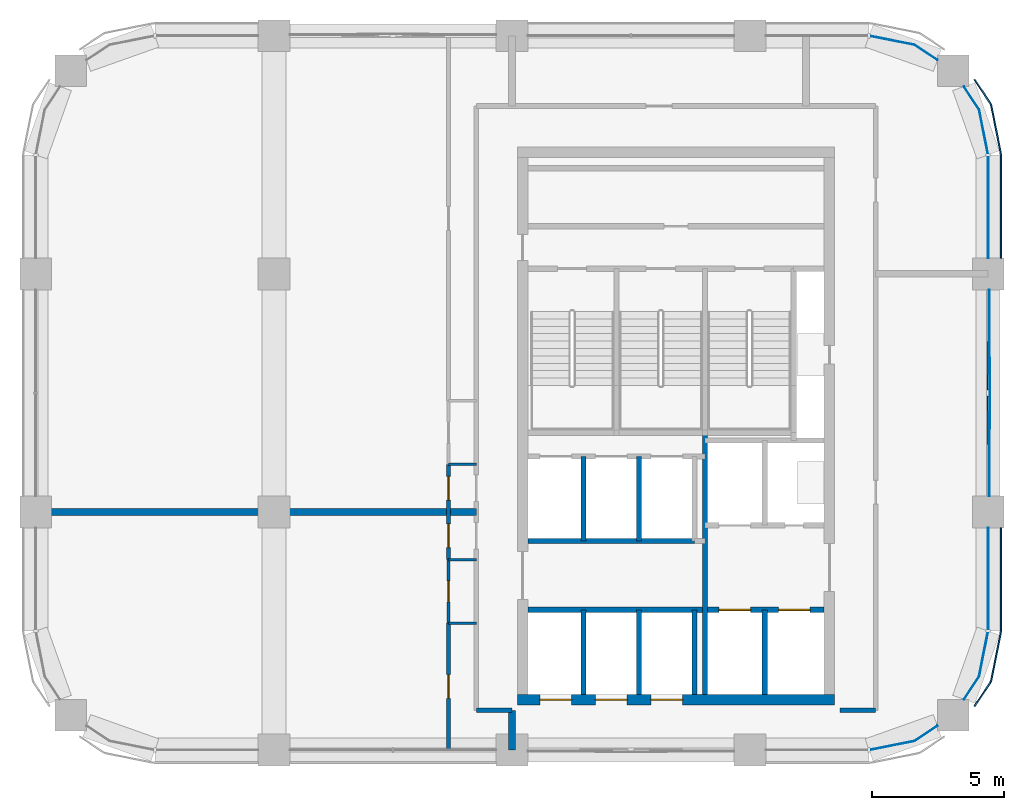
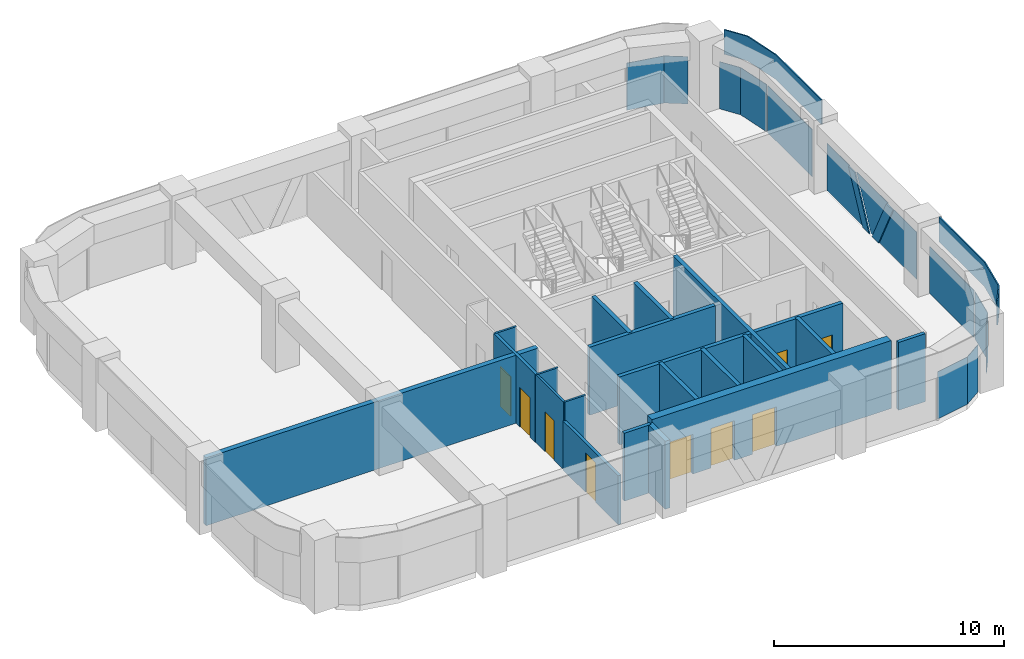
# One storey, part 6 of 9: 20 walls, 13 plates, 9 doors, 9 openings, 5 elements without a shape of their own.
"""IFC4 building model written with IfcOpenShell, lengths in metres."""

from ifc_helpers import new_model, si_unit, direction, frame, frame_2d, origin, origin_2d, place, context, subcontext, project, spatial, polyline, rectangle, outline, extrude, material, layer, layer_set, type_object, element, fill, aggregate, save


model = new_model("IFC4")

# Units and contexts
model_context = context("Model", 3, precision=1e-05, world=origin(), true_north=direction((0.0, 1.0)))
body_context = subcontext(model_context, "Body", "Model", "MODEL_VIEW")
ifc_project = project(units=[si_unit("LENGTHUNIT", "METRE"), si_unit("AREAUNIT", "SQUARE_METRE"), si_unit("VOLUMEUNIT", "CUBIC_METRE"), si_unit("PLANEANGLEUNIT", "RADIAN"), si_unit("MASSUNIT", "GRAM", prefix="KILO")], contexts=[model_context])

# Site, building, storey
site_placement = place(None, origin())
site = spatial("IfcSite", under=ifc_project, at=site_placement, CompositionType="ELEMENT")
building_placement = place(site_placement, origin())
building = spatial("IfcBuilding", under=site, at=building_placement, Name="Tessera Arch", CompositionType="ELEMENT")
storey_placement = place(building_placement, frame((0.0, 0.0, 273.5)))
storey = spatial("IfcBuildingStorey", under=building, at=storey_placement, Name="L66", CompositionType="ELEMENT", Elevation=273.5)

# Curtain wall, plates
ifc_material_1 = material(Name="CW2 curtain wall")
curtain_wall_type_1 = type_object("IfcCurtainWallType", Name="CW2 curtain wall", PredefinedType="NOTDEFINED", material=ifc_material_1)
curtain_wall_1_placement = place(storey_placement, origin())
curtain_wall_1 = element("IfcCurtainWall", 1, at=curtain_wall_1_placement, inside=storey, type_object=curtain_wall_type_1, Name="CW2 curtain wall E54.27/1 L66", PredefinedType="NOTDEFINED")
ifc_material_2 = material(Name="Clear low-e glass", Category="glass")
ifc_material_3 = material(Name="Clear low-e glass", Category="glass")
ifc_layer_1 = layer(ifc_material_3, 0.028076171875)
ifc_layer_set_1 = layer_set([ifc_layer_1], Name="CW2 glass panel")
plate_type_1 = type_object("IfcPlateType", Name="CW2 glass panel", PredefinedType="CURTAIN_PANEL", material=ifc_layer_set_1)
plate_1_placement = place(storey_placement, frame((54.0, 47.530029296875, 0.0), z_axis=(0.0, 0.0, 1.0), x_axis=(0.0, 1.0, 0.0)))
plate_1 = element("IfcPlate", 2, at=plate_1_placement, type_object=plate_type_1, material=ifc_material_2, Name="CW2 glass panel E54.27/1 1.1", PredefinedType="CURTAIN_PANEL", context=body_context, shape_type="SweptSolid", body=[
    extrude(rectangle(XDim=3.860107421875, YDim=0.028076171875, at=origin_2d()), origin(), (0.0, 0.0, 1.0), 2.5),
])
plate_2_placement = place(storey_placement, origin())
plate_2 = element("IfcPlate", 3, at=plate_2_placement, type_object=plate_type_1, material=ifc_material_2, Name="CW2 curved glass panel E54.27/1 2.1", PredefinedType="CURTAIN_PANEL", context=body_context, shape_type="SweptSolid", body=[
    extrude(outline(polyline([(53.644287109375, 51.216552734375), (53.978515625, 49.53662109375), (54.005859375, 49.5419921875), (53.670654296875, 51.2275390625), (53.094482421875, 52.08984375), (53.0712890625, 52.07421875), (53.644287109375, 51.216552734375)])), origin(), (0.0, 0.0, 1.0), 2.5),
])

# Curtain wall, plate
curtain_wall_2_placement = place(storey_placement, origin())
curtain_wall_2 = element("IfcCurtainWall", 4, at=curtain_wall_2_placement, inside=storey, type_object=curtain_wall_type_1, Name="CW2 curtain wall N54.18/0 L66", PredefinedType="NOTDEFINED")
plate_3_placement = place(storey_placement, origin())
plate_3 = element("IfcPlate", 5, at=plate_3_placement, type_object=plate_type_1, material=ifc_material_2, Name="CW2 curved glass panel N54.18/0 2.1", PredefinedType="CURTAIN_PANEL", context=body_context, shape_type="SweptSolid", body=[
    extrude(outline(polyline([(51.216552734375, 53.644287109375), (52.07421875, 53.0712890625), (52.08984375, 53.094482421875), (51.2275390625, 53.670654296875), (49.5419921875, 54.005859375), (49.53662109375, 53.978515625), (51.216552734375, 53.644287109375)])), origin(), (0.0, 0.0, 1.0), 2.5),
])
aggregate(curtain_wall_2, [plate_3])

curtain_wall_3_placement = place(storey_placement, origin())
curtain_wall_3 = element("IfcCurtainWall", 6, at=curtain_wall_3_placement, inside=storey, type_object=curtain_wall_type_1, Name="CW2 curtain wall S27.18/3 L66", PredefinedType="NOTDEFINED")
plate_4_placement = place(storey_placement, origin())
plate_4 = element("IfcPlate", 7, at=plate_4_placement, type_object=plate_type_1, material=ifc_material_2, Name="CW2 curved glass panel S27.18/3 2.1", PredefinedType="CURTAIN_PANEL", context=body_context, shape_type="SweptSolid", body=[
    extrude(outline(polyline([(51.216552734375, 27.355712890625), (49.53662109375, 27.021484375), (49.5419921875, 26.994140625), (51.2275390625, 27.329345703125), (52.08984375, 27.905517578125), (52.07421875, 27.9287109375), (51.216552734375, 27.355712890625)])), origin(), (0.0, 0.0, 1.0), 2.5),
])
aggregate(curtain_wall_3, [plate_4])

# Curtain wall, plates
curtain_wall_4_placement = place(storey_placement, origin())
curtain_wall_4 = element("IfcCurtainWall", 8, at=curtain_wall_4_placement, inside=storey, type_object=curtain_wall_type_1, Name="CW2 curtain wall E54.27/2 L66", PredefinedType="NOTDEFINED")
plate_5_placement = place(storey_placement, frame((54.0, 33.469970703125, 0.0), z_axis=(0.0, 0.0, 1.0), x_axis=(0.0, 1.0, 0.0)))
plate_5 = element("IfcPlate", 9, at=plate_5_placement, type_object=plate_type_1, material=ifc_material_2, Name="CW2 glass panel E54.27/2 1.1", PredefinedType="CURTAIN_PANEL", context=body_context, shape_type="SweptSolid", body=[
    extrude(rectangle(XDim=3.860107421875, YDim=0.028076171875, at=origin_2d()), origin(), (0.0, 0.0, 1.0), 2.5),
])
plate_6_placement = place(storey_placement, origin())
plate_6 = element("IfcPlate", 10, at=plate_6_placement, type_object=plate_type_1, material=ifc_material_2, Name="CW2 curved glass panel E54.27/2 2.1", PredefinedType="CURTAIN_PANEL", context=body_context, shape_type="SweptSolid", body=[
    extrude(outline(polyline([(53.644287109375, 29.783447265625), (53.0712890625, 28.92578125), (53.094482421875, 28.91015625), (53.670654296875, 29.7724609375), (54.005859375, 31.4580078125), (53.978515625, 31.46337890625), (53.644287109375, 29.783447265625)])), origin(), (0.0, 0.0, 1.0), 2.5),
])

# Plate
ifc_material_4 = material(Name="Pale anodised aluminium panel", Category="aluminium")
ifc_layer_2 = layer(ifc_material_4, 0.06005859375)
ifc_layer_set_2 = layer_set([ifc_layer_2], Name="CW2 spandrel panel")
plate_type_2 = type_object("IfcPlateType", Name="CW2 spandrel panel", PredefinedType="CURTAIN_PANEL", material=ifc_layer_set_2)
plate_7_placement = place(storey_placement, frame((0.0, 0.0, 2.60009765625)))
plate_7 = element("IfcPlate", 11, at=plate_7_placement, type_object=plate_type_2, Name="CW2 spandrel panel E54.27/1", PredefinedType="CURTAIN_PANEL", context=body_context, shape_type="SweptSolid", body=[
    extrude(outline(polyline([(54.449951171875, 49.499267578125), (54.449951171875, 45.60009765625), (54.510009765625, 45.60009765625), (54.510009765625, 49.500732421875), (54.507568359375, 49.550048828125), (54.500244140625, 49.598876953125), (54.157470703125, 51.322265625), (54.1455078125, 51.3701171875), (54.128662109375, 51.417236328125), (54.107421875, 51.462646484375), (54.08203125, 51.5048828125), (53.5068359375, 52.365234375), (53.45703125, 52.33203125), (54.03125, 51.47265625), (54.054443359375, 51.434326171875), (54.0732421875, 51.394287109375), (54.088134765625, 51.352783203125), (54.09912109375, 51.30908203125), (54.441162109375, 49.588623046875), (54.44775390625, 49.544189453125), (54.449951171875, 49.499267578125)])), origin(), (0.0, 0.0, 1.0), 1.2998046875),
])

aggregate(curtain_wall_1, [plate_1, plate_2, plate_7])

plate_8_placement = place(storey_placement, frame((0.0, 0.0, 2.60009765625)))
plate_8 = element("IfcPlate", 12, at=plate_8_placement, type_object=plate_type_2, Name="CW2 spandrel panel E54.27/2", PredefinedType="CURTAIN_PANEL", context=body_context, shape_type="SweptSolid", body=[
    extrude(outline(polyline([(54.03125, 29.52734375), (53.45703125, 28.66796875), (53.5068359375, 28.634765625), (54.08203125, 29.4951171875), (54.107421875, 29.537353515625), (54.128662109375, 29.582763671875), (54.1455078125, 29.6298828125), (54.157470703125, 29.677734375), (54.500244140625, 31.401123046875), (54.507568359375, 31.449951171875), (54.510009765625, 31.499267578125), (54.510009765625, 35.39990234375), (54.449951171875, 35.39990234375), (54.449951171875, 31.500732421875), (54.44775390625, 31.455810546875), (54.441162109375, 31.411376953125), (54.09912109375, 29.69091796875), (54.088134765625, 29.647216796875), (54.0732421875, 29.605712890625), (54.054443359375, 29.565673828125), (54.03125, 29.52734375)])), origin(), (0.0, 0.0, 1.0), 1.2998046875),
])

aggregate(curtain_wall_4, [plate_5, plate_6, plate_8])

# Curtain wall, plates
ifc_material_5 = material(Name="CW3 curtain wall")
curtain_wall_type_2 = type_object("IfcCurtainWallType", Name="CW3 curtain wall", PredefinedType="NOTDEFINED", material=ifc_material_5)
curtain_wall_5_placement = place(storey_placement, origin())
curtain_wall_5 = element("IfcCurtainWall", 13, at=curtain_wall_5_placement, inside=storey, type_object=curtain_wall_type_2, Name="CW3 curtain wall E54.27/0 L66", PredefinedType="NOTDEFINED")
ifc_material_6 = material(Name="Pale anodised aluminium panel", Category="aluminium")
ifc_layer_3 = layer(ifc_material_6, 0.06005859375)
ifc_layer_set_3 = layer_set([ifc_layer_3], Name="CW3 diagonal panel")
plate_type_3 = type_object("IfcPlateType", Name="CW3 diagonal panel", PredefinedType="CURTAIN_PANEL", material=ifc_layer_set_3)
plate_9_placement = place(storey_placement, frame((54.030029296875, 42.432373046875, 2.5), z_axis=(1.0, 0.0, 0.0), x_axis=(0.0, -1.0, 0.0)))
plate_9 = element("IfcPlate", 14, at=plate_9_placement, type_object=plate_type_3, Name="CW3 diagonal panel E54.27/0 1", PredefinedType="CURTAIN_PANEL", context=body_context, shape_type="SweptSolid", body=[
    extrude(outline(polyline([(0.0, 0.0), (0.564697265625, 0.0), (1.814697265625, 2.5), (1.25, 2.5), (0.0, 0.0)])), origin(), (0.0, 0.0, -1.0), 0.06005859375),
])
plate_10_placement = place(storey_placement, frame((54.030029296875, 39.13232421875, 2.5), z_axis=(1.0, 0.0, 0.0), x_axis=(0.0, -1.0, 0.0)))
plate_10 = element("IfcPlate", 15, at=plate_10_placement, type_object=plate_type_3, Name="CW3 diagonal panel E54.27/0 2", PredefinedType="CURTAIN_PANEL", context=body_context, shape_type="SweptSolid", body=[
    extrude(outline(polyline([(0.0, 0.0), (0.564697265625, 0.0), (-0.685302734375, 2.5), (-1.25, 2.5), (0.0, 0.0)])), origin(), (0.0, 0.0, -1.0), 0.06005859375),
])
ifc_material_7 = material(Name="Clear low-e glass", Category="glass")
ifc_layer_4 = layer(ifc_material_7, 0.028076171875)
ifc_layer_set_4 = layer_set([ifc_layer_4], Name="CW3 glass panel")
plate_type_4 = type_object("IfcPlateType", Name="CW3 glass panel", PredefinedType="CURTAIN_PANEL", material=ifc_layer_set_4)
plate_11_placement = place(storey_placement, frame((54.05810546875, 36.60009765625, 0.0), z_axis=(1.0, 0.0, 0.0), x_axis=(0.0, 1.0, 0.0)))
plate_11 = element("IfcPlate", 16, at=plate_11_placement, type_object=plate_type_4, material=ifc_material_2, Name="CW3 triangulated glass panel E54.27/0 1", PredefinedType="CURTAIN_PANEL", context=body_context, shape_type="SweptSolid", body=[
    extrude(outline(polyline([(0.0, 0.0), (3.217529296875, 0.0), (1.967529296875, 2.5), (0.0, 2.5), (0.0, 0.0)])), origin(), (0.0, 0.0, -1.0), 0.028076171875),
])
plate_12_placement = place(storey_placement, frame((54.0859375, 41.86767578125, 2.5), z_axis=(1.0, 0.0, 0.0), x_axis=(0.0, -1.0, 0.0)))
plate_12 = element("IfcPlate", 17, at=plate_12_placement, type_object=plate_type_4, material=ifc_material_2, Name="CW3 triangulated glass panel E54.27/0 2", PredefinedType="CURTAIN_PANEL", context=body_context, shape_type="SweptSolid", body=[
    extrude(outline(polyline([(0.0, 0.0), (2.7353515625, 0.0), (1.4853515625, 2.5), (1.25, 2.5), (0.0, 0.0)])), origin(), (0.0, 0.0, -1.0), 0.028076171875),
])
plate_13_placement = place(storey_placement, frame((54.05810546875, 44.39990234375, 2.5), z_axis=(1.0, 0.0, 0.0), x_axis=(0.0, -1.0, 0.0)))
plate_13 = element("IfcPlate", 18, at=plate_13_placement, type_object=plate_type_4, material=ifc_material_2, Name="CW3 triangulated glass panel E54.27/0 3", PredefinedType="CURTAIN_PANEL", context=body_context, shape_type="SweptSolid", body=[
    extrude(outline(polyline([(0.0, 0.0), (1.967529296875, 0.0), (3.217529296875, 2.5), (0.0, 2.5), (0.0, 0.0)])), origin(), (0.0, 0.0, -1.0), 0.028076171875),
])
aggregate(curtain_wall_5, [plate_11, plate_12, plate_13, plate_9, plate_10])

# Wall, openings, doors
ifc_material_8 = material(Name="Concrete C50/60", Category="concrete")
ifc_layer_5 = layer(ifc_material_8, 0.39990234375)
ifc_layer_set_5 = layer_set([ifc_layer_5], Name="Core shell wall 400 C50-60")
wall_type_1 = type_object("IfcWallType", Name="Core shell wall 400 C50-60", PredefinedType="SHEAR", material=ifc_layer_set_5)
wall_1_placement = place(storey_placement, frame((36.199951171875, 28.89990234375, 0.0), z_axis=(0.0, 0.0, 1.0), x_axis=(1.0, 0.0, 0.0)))
wall_1 = element("IfcWall", 19, at=wall_1_placement, inside=storey, type_object=wall_type_1, Name="L66 C1 core wall S", PredefinedType="SHEAR", context=body_context, shape_type="SweptSolid", body=[
    extrude(rectangle(XDim=12.0, YDim=0.39990234375, at=frame_2d((6.0, 0.0))), origin(), (0.0, 0.0, 1.0), 3.60009765625),
])
opening_1_placement = place(wall_1_placement, frame((0.85009765625, 0.0, 0.0)))
opening_1 = element("IfcOpeningElement", 20, at=opening_1_placement, cuts=wall_1, Name="Opening L66-C01", PredefinedType="OPENING", context=body_context, shape_type="SweptSolid", body=[
    extrude(rectangle(XDim=1.199951171875, YDim=2.10009765625, at=frame_2d((0.60009765625, 1.050048828125))), frame((0.0, 0.2099609375, 0.0), z_axis=(0.0, -1.0, 0.0), x_axis=(1.0, 0.0, 0.0)), (0.0, 0.0, 1.0), 0.419921875),
])
opening_2_placement = place(wall_1_placement, frame((2.949951171875, 0.0, 0.0)))
opening_2 = element("IfcOpeningElement", 21, at=opening_2_placement, cuts=wall_1, Name="Opening L66-C03", PredefinedType="OPENING", context=body_context, shape_type="SweptSolid", body=[
    extrude(rectangle(XDim=1.199951171875, YDim=2.10009765625, at=frame_2d((0.60009765625, 1.050048828125))), frame((0.0, 0.2099609375, 0.0), z_axis=(0.0, -1.0, 0.0), x_axis=(1.0, 0.0, 0.0)), (0.0, 0.0, 1.0), 0.419921875),
])
opening_3_placement = place(wall_1_placement, frame((5.050048828125, 0.0, 0.0)))
opening_3 = element("IfcOpeningElement", 22, at=opening_3_placement, cuts=wall_1, Name="Opening L66-C05", PredefinedType="OPENING", context=body_context, shape_type="SweptSolid", body=[
    extrude(rectangle(XDim=1.199951171875, YDim=2.10009765625, at=frame_2d((0.60009765625, 1.050048828125))), frame((0.0, 0.2099609375, 0.0), z_axis=(0.0, -1.0, 0.0), x_axis=(1.0, 0.0, 0.0)), (0.0, 0.0, 1.0), 0.419921875),
])
ifc_material_9 = material(Name="Stainless steel AISI 304", Category="steel")
door_type_1 = type_object("IfcDoorType", Name="Sliding landing door 1200 x 2100", OperationType="SLIDING_TO_LEFT", PredefinedType="DOOR", material=ifc_material_9)
door_1_placement = place(opening_1_placement, origin())
door_1 = element("IfcDoor", 23, at=door_1_placement, inside=storey, type_object=door_type_1, Name="L66 HR1 lift landing door C01 type LD", OperationType="SLIDING_TO_LEFT", OverallHeight=2.10009765625, OverallWidth=1.199951171875, PredefinedType="DOOR", context=body_context, shape_type="SweptSolid", body=[
    extrude(rectangle(XDim=1.199951171875, YDim=2.10009765625, at=frame_2d((0.60009765625, 1.050048828125))), frame((0.0, 0.02490234375, 0.0), z_axis=(0.0, -1.0, 0.0), x_axis=(1.0, 0.0, 0.0)), (0.0, 0.0, 1.0), 0.050048828125),
])
fill(opening_1, door_1)
door_2_placement = place(opening_2_placement, origin())
door_2 = element("IfcDoor", 24, at=door_2_placement, inside=storey, type_object=door_type_1, Name="L66 HR2 lift landing door C03 type LD", OperationType="SLIDING_TO_LEFT", OverallHeight=2.10009765625, OverallWidth=1.199951171875, PredefinedType="DOOR", context=body_context, shape_type="SweptSolid", body=[
    extrude(rectangle(XDim=1.199951171875, YDim=2.10009765625, at=frame_2d((0.60009765625, 1.050048828125))), frame((0.0, 0.02490234375, 0.0), z_axis=(0.0, -1.0, 0.0), x_axis=(1.0, 0.0, 0.0)), (0.0, 0.0, 1.0), 0.050048828125),
])
fill(opening_2, door_2)
door_3_placement = place(opening_3_placement, origin())
door_3 = element("IfcDoor", 25, at=door_3_placement, inside=storey, type_object=door_type_1, Name="L66 HR3 lift landing door C05 type LD", OperationType="SLIDING_TO_LEFT", OverallHeight=2.10009765625, OverallWidth=1.199951171875, PredefinedType="DOOR", context=body_context, shape_type="SweptSolid", body=[
    extrude(rectangle(XDim=1.199951171875, YDim=2.10009765625, at=frame_2d((0.60009765625, 1.050048828125))), frame((0.0, 0.02490234375, 0.0), z_axis=(0.0, -1.0, 0.0), x_axis=(1.0, 0.0, 0.0)), (0.0, 0.0, 1.0), 0.050048828125),
])
fill(opening_3, door_3)

# Walls
ifc_material_10 = material(Name="Gypsum board on deep steel stud with mineral wool", Category="steel")
ifc_layer_6 = layer(ifc_material_10, 0.175048828125)
ifc_layer_set_6 = layer_set([ifc_layer_6], Name="Corridor wall 175 EI 60")
wall_type_2 = type_object("IfcWallType", Name="Corridor wall 175 EI 60", PredefinedType="PARTITIONING", material=ifc_layer_set_6)
for number, where, z_axis, x_axis, name in (
    (26, (34.64990234375, 28.5, 0.0), (0.0, 0.0, 1.0), (1.0, 0.0, 0.0), "L66 partition 1"),
    (27, (48.39990234375, 28.5, 0.0), (0.0, 0.0, 1.0), (1.0, 0.0, 0.0), "L66 partition 2"),
):
    element("IfcWall", number, at=place(storey_placement, frame(where, z_axis=z_axis, x_axis=x_axis)), inside=storey, type_object=wall_type_2, Name=name, PredefinedType="PARTITIONING", context=body_context, shape_type="SweptSolid", body=[
        extrude(rectangle(XDim=1.35009765625, YDim=0.175048828125, at=frame_2d((0.675048828125, 0.0))), origin(), (0.0, 0.0, 1.0), 3.60009765625),
    ])

# Wall, opening, door
ifc_material_11 = material(Name="Gypsum board on steel stud", Category="steel")
ifc_layer_7 = layer(ifc_material_11, 0.14990234375)
ifc_layer_set_7 = layer_set([ifc_layer_7], Name="Partition 150")
wall_type_3 = type_object("IfcWallType", Name="Partition 150", PredefinedType="PARTITIONING", material=ifc_layer_set_7)
wall_2_placement = place(storey_placement, frame((33.60009765625, 27.0, 0.0), z_axis=(0.0, 0.0, 1.0), x_axis=(0.0, 1.0, 0.0)))
wall_2 = element("IfcWall", 28, at=wall_2_placement, inside=storey, type_object=wall_type_3, Name="L66 partition 6", PredefinedType="PARTITIONING", context=body_context, shape_type="SweptSolid", body=[
    extrude(rectangle(XDim=4.800048828125, YDim=0.14990234375, at=frame_2d((2.39990234375, 0.0))), origin(), (0.0, 0.0, 1.0), 2.60009765625),
])
opening_4_placement = place(wall_2_placement, frame((1.949951171875, 0.0, 0.0)))
opening_4 = element("IfcOpeningElement", 29, at=opening_4_placement, cuts=wall_2, Name="Opening L66-D004", PredefinedType="OPENING", context=body_context, shape_type="SweptSolid", body=[
    extrude(rectangle(XDim=0.89990234375, YDim=2.10009765625, at=frame_2d((0.449951171875, 1.050048828125))), frame((0.0, 0.0849609375, 0.0), z_axis=(0.0, -1.0, 0.0), x_axis=(1.0, 0.0, 0.0)), (0.0, 0.0, 1.0), 0.169921875),
])
ifc_material_12 = material(Name="Timber door leaf", Category="wood")
door_type_2 = type_object("IfcDoorType", Name="Room door 900 x 2100", OperationType="SINGLE_SWING_LEFT", PredefinedType="DOOR", material=ifc_material_12)
door_4_placement = place(opening_4_placement, origin())
door_4 = element("IfcDoor", 30, at=door_4_placement, inside=storey, type_object=door_type_2, Name="L66 door D004 type D01", OperationType="SINGLE_SWING_RIGHT", OverallHeight=2.10009765625, OverallWidth=0.89990234375, PredefinedType="DOOR", context=body_context, shape_type="SweptSolid", body=[
    extrude(rectangle(XDim=0.89990234375, YDim=2.10009765625, at=frame_2d((0.449951171875, 1.050048828125))), frame((0.0, 0.02490234375, 0.0), z_axis=(0.0, -1.0, 0.0), x_axis=(1.0, 0.0, 0.0)), (0.0, 0.0, 1.0), 0.050048828125),
])
fill(opening_4, door_4)

# Wall, openings, doors
wall_3_placement = place(storey_placement, frame((33.60009765625, 34.199951171875, 0.0), z_axis=(0.0, 0.0, 1.0), x_axis=(0.0, 1.0, 0.0)))
wall_3 = element("IfcWall", 31, at=wall_3_placement, inside=storey, type_object=wall_type_3, Name="L66 partition 7", PredefinedType="PARTITIONING", context=body_context, shape_type="SweptSolid", body=[
    extrude(rectangle(XDim=3.60009765625, YDim=0.14990234375, at=frame_2d((1.800048828125, 0.0))), origin(), (0.0, 0.0, 1.0), 3.60009765625),
])
opening_5_placement = place(wall_3_placement, frame((0.449951171875, 0.0, 0.0)))
opening_5 = element("IfcOpeningElement", 32, at=opening_5_placement, cuts=wall_3, Name="Opening L66-D002", PredefinedType="OPENING", context=body_context, shape_type="SweptSolid", body=[
    extrude(rectangle(XDim=0.89990234375, YDim=2.10009765625, at=frame_2d((0.449951171875, 1.050048828125))), frame((0.0, 0.0849609375, 0.0), z_axis=(0.0, -1.0, 0.0), x_axis=(1.0, 0.0, 0.0)), (0.0, 0.0, 1.0), 0.169921875),
])
opening_6_placement = place(wall_3_placement, frame((2.25, 0.0, 0.0)))
opening_6 = element("IfcOpeningElement", 33, at=opening_6_placement, cuts=wall_3, Name="Opening L66-D007", PredefinedType="OPENING", context=body_context, shape_type="SweptSolid", body=[
    extrude(rectangle(XDim=0.89990234375, YDim=2.10009765625, at=frame_2d((0.449951171875, 1.050048828125))), frame((0.0, 0.0849609375, 0.0), z_axis=(0.0, -1.0, 0.0), x_axis=(1.0, 0.0, 0.0)), (0.0, 0.0, 1.0), 0.169921875),
])
door_5_placement = place(opening_5_placement, origin())
door_5 = element("IfcDoor", 34, at=door_5_placement, inside=storey, type_object=door_type_2, Name="L66 door D002 type D01", OperationType="SINGLE_SWING_RIGHT", OverallHeight=2.10009765625, OverallWidth=0.89990234375, PredefinedType="DOOR", context=body_context, shape_type="SweptSolid", body=[
    extrude(rectangle(XDim=0.89990234375, YDim=2.10009765625, at=frame_2d((0.449951171875, 1.050048828125))), frame((0.0, 0.02490234375, 0.0), z_axis=(0.0, -1.0, 0.0), x_axis=(1.0, 0.0, 0.0)), (0.0, 0.0, 1.0), 0.050048828125),
])
fill(opening_5, door_5)
door_6_placement = place(opening_6_placement, origin())
door_6 = element("IfcDoor", 35, at=door_6_placement, inside=storey, type_object=door_type_2, Name="L66 door D007 type D01", OperationType="SINGLE_SWING_RIGHT", OverallHeight=2.10009765625, OverallWidth=0.89990234375, PredefinedType="DOOR", context=body_context, shape_type="SweptSolid", body=[
    extrude(rectangle(XDim=0.89990234375, YDim=2.10009765625, at=frame_2d((0.449951171875, 1.050048828125))), frame((0.0, 0.02490234375, 0.0), z_axis=(0.0, -1.0, 0.0), x_axis=(1.0, 0.0, 0.0)), (0.0, 0.0, 1.0), 0.050048828125),
])
fill(opening_6, door_6)

# Walls
ifc_material_13 = material(Name="Double gypsum board on twin steel stud with acoustic mineral wool", Category="steel")
ifc_layer_8 = layer(ifc_material_13, 0.25)
ifc_layer_set_8 = layer_set([ifc_layer_8], Name="Party wall 250 EI 60")
wall_type_4 = type_object("IfcWallType", Name="Party wall 250 EI 60", PredefinedType="PARTITIONING", material=ifc_layer_set_8)
wall_4_placement = place(storey_placement, frame((18.0, 36.0, 0.0), z_axis=(0.0, 0.0, 1.0), x_axis=(1.0, 0.0, 0.0)))
element("IfcWall", 36, at=wall_4_placement, inside=storey, type_object=wall_type_4, Name="L66 partition 9", PredefinedType="PARTITIONING", context=body_context, shape_type="SweptSolid", body=[
    extrude(rectangle(XDim=16.64990234375, YDim=0.25, at=frame_2d((8.324951171875, 0.0))), origin(), (0.0, 0.0, 1.0), 3.60009765625),
])
wall_5_placement = place(storey_placement, frame((36.0, 27.0, 0.0), z_axis=(0.0, 0.0, 1.0), x_axis=(0.0, 1.0, 0.0)))
element("IfcWall", 37, at=wall_5_placement, inside=storey, type_object=wall_type_4, Name="L66 partition 11", PredefinedType="PARTITIONING", context=body_context, shape_type="SweptSolid", body=[
    extrude(rectangle(XDim=1.5, YDim=0.25, at=frame_2d((0.75, 0.0))), origin(), (0.0, 0.0, 1.0), 3.60009765625),
])
ifc_material_14 = material(Name="Concrete C40/50", Category="concrete")
ifc_layer_9 = layer(ifc_material_14, 0.199951171875)
ifc_layer_set_9 = layer_set([ifc_layer_9], Name="Shaft wall 200 EI 120")
wall_type_5 = type_object("IfcWallType", Name="Shaft wall 200 EI 120", PredefinedType="SOLIDWALL", material=ifc_layer_set_9)
wall_6_placement = place(storey_placement, frame((38.699951171875, 29.10009765625, 0.0), z_axis=(0.0, 0.0, 1.0), x_axis=(0.0, 1.0, 0.0)))
element("IfcWall", 38, at=wall_6_placement, inside=storey, type_object=wall_type_5, Name="L66 C1 shaft wall 1", PredefinedType="SOLIDWALL", context=body_context, shape_type="SweptSolid", body=[
    extrude(rectangle(XDim=3.199951171875, YDim=0.199951171875, at=frame_2d((1.60009765625, 0.0))), origin(), (0.0, 0.0, 1.0), 3.60009765625),
])
wall_7_placement = place(storey_placement, frame((38.699951171875, 34.89990234375, 0.0), z_axis=(0.0, 0.0, 1.0), x_axis=(0.0, 1.0, 0.0)))
element("IfcWall", 39, at=wall_7_placement, inside=storey, type_object=wall_type_5, Name="L66 C1 shaft wall 2", PredefinedType="SOLIDWALL", context=body_context, shape_type="SweptSolid", body=[
    extrude(rectangle(XDim=3.2001953125, YDim=0.199951171875, at=frame_2d((1.60009765625, 0.0))), origin(), (0.0, 0.0, 1.0), 3.60009765625),
])
wall_8_placement = place(storey_placement, frame((40.800048828125, 29.10009765625, 0.0), z_axis=(0.0, 0.0, 1.0), x_axis=(0.0, 1.0, 0.0)))
element("IfcWall", 40, at=wall_8_placement, inside=storey, type_object=wall_type_5, Name="L66 C1 shaft wall 5", PredefinedType="SOLIDWALL", context=body_context, shape_type="SweptSolid", body=[
    extrude(rectangle(XDim=3.199951171875, YDim=0.199951171875, at=frame_2d((1.60009765625, 0.0))), origin(), (0.0, 0.0, 1.0), 3.60009765625),
])
wall_9_placement = place(storey_placement, frame((40.800048828125, 34.89990234375, 0.0), z_axis=(0.0, 0.0, 1.0), x_axis=(0.0, 1.0, 0.0)))
element("IfcWall", 41, at=wall_9_placement, inside=storey, type_object=wall_type_5, Name="L66 C1 shaft wall 6", PredefinedType="SOLIDWALL", context=body_context, shape_type="SweptSolid", body=[
    extrude(rectangle(XDim=3.2001953125, YDim=0.199951171875, at=frame_2d((1.60009765625, 0.0))), origin(), (0.0, 0.0, 1.0), 3.60009765625),
])
wall_10_placement = place(storey_placement, frame((42.89990234375, 29.10009765625, 0.0), z_axis=(0.0, 0.0, 1.0), x_axis=(0.0, 1.0, 0.0)))
element("IfcWall", 42, at=wall_10_placement, inside=storey, type_object=wall_type_5, Name="L66 C1 shaft wall 7", PredefinedType="SOLIDWALL", context=body_context, shape_type="SweptSolid", body=[
    extrude(rectangle(XDim=3.199951171875, YDim=0.199951171875, at=frame_2d((1.60009765625, 0.0))), origin(), (0.0, 0.0, 1.0), 3.60009765625),
])
wall_11_placement = place(storey_placement, frame((43.300048828125, 29.10009765625, 0.0), z_axis=(0.0, 0.0, 1.0), x_axis=(0.0, 1.0, 0.0)))
element("IfcWall", 43, at=wall_11_placement, inside=storey, type_object=wall_type_5, Name="L66 C1 shaft wall 9", PredefinedType="SOLIDWALL", context=body_context, shape_type="SweptSolid", body=[
    extrude(rectangle(XDim=9.89990234375, YDim=0.199951171875, at=frame_2d((4.949951171875, 0.0))), origin(), (0.0, 0.0, 1.0), 3.60009765625),
])
wall_12_placement = place(storey_placement, frame((45.550048828125, 29.10009765625, 0.0), z_axis=(0.0, 0.0, 1.0), x_axis=(0.0, 1.0, 0.0)))
element("IfcWall", 44, at=wall_12_placement, inside=storey, type_object=wall_type_5, Name="L66 C1 shaft wall 12", PredefinedType="SOLIDWALL", context=body_context, shape_type="SweptSolid", body=[
    extrude(rectangle(XDim=3.199951171875, YDim=0.199951171875, at=frame_2d((1.60009765625, 0.0))), origin(), (0.0, 0.0, 1.0), 3.60009765625),
])

# Wall, openings, doors
wall_13_placement = place(storey_placement, frame((36.60009765625, 32.300048828125, 0.0), z_axis=(0.0, 0.0, 1.0), x_axis=(1.0, 0.0, 0.0)))
wall_13 = element("IfcWall", 45, at=wall_13_placement, inside=storey, type_object=wall_type_5, Name="L66 C1 shaft wall 17", PredefinedType="SOLIDWALL", context=body_context, shape_type="SweptSolid", body=[
    extrude(rectangle(XDim=11.199951171875, YDim=0.199951171875, at=frame_2d((5.60009765625, 0.0))), origin(), (0.0, 0.0, 1.0), 3.60009765625),
])
opening_7_placement = place(wall_13_placement, frame((7.22509765625, 0.0, 0.0)))
opening_7 = element("IfcOpeningElement", 46, at=opening_7_placement, cuts=wall_13, Name="Opening L66-C07", PredefinedType="OPENING", context=body_context, shape_type="SweptSolid", body=[
    extrude(rectangle(XDim=1.199951171875, YDim=2.10009765625, at=frame_2d((0.60009765625, 1.050048828125))), frame((0.0, 0.10986328125, 0.0), z_axis=(0.0, -1.0, 0.0), x_axis=(1.0, 0.0, 0.0)), (0.0, 0.0, 1.0), 0.219970703125),
])
opening_8_placement = place(wall_13_placement, frame((9.47509765625, 0.0, 0.0)))
opening_8 = element("IfcOpeningElement", 47, at=opening_8_placement, cuts=wall_13, Name="Opening L66-C08", PredefinedType="OPENING", context=body_context, shape_type="SweptSolid", body=[
    extrude(rectangle(XDim=1.199951171875, YDim=2.10009765625, at=frame_2d((0.60009765625, 1.050048828125))), frame((0.0, 0.10986328125, 0.0), z_axis=(0.0, -1.0, 0.0), x_axis=(1.0, 0.0, 0.0)), (0.0, 0.0, 1.0), 0.219970703125),
])
door_7_placement = place(opening_7_placement, origin())
door_7 = element("IfcDoor", 48, at=door_7_placement, inside=storey, type_object=door_type_1, Name="L66 FF1 lift landing door C07 type LD", OperationType="SLIDING_TO_LEFT", OverallHeight=2.10009765625, OverallWidth=1.199951171875, PredefinedType="DOOR", context=body_context, shape_type="SweptSolid", body=[
    extrude(rectangle(XDim=1.199951171875, YDim=2.10009765625, at=frame_2d((0.60009765625, 1.050048828125))), frame((0.0, 0.02490234375, 0.0), z_axis=(0.0, -1.0, 0.0), x_axis=(1.0, 0.0, 0.0)), (0.0, 0.0, 1.0), 0.050048828125),
])
fill(opening_7, door_7)
door_8_placement = place(opening_8_placement, origin())
door_8 = element("IfcDoor", 49, at=door_8_placement, inside=storey, type_object=door_type_1, Name="L66 FF2 lift landing door C08 type LD", OperationType="SLIDING_TO_LEFT", OverallHeight=2.10009765625, OverallWidth=1.199951171875, PredefinedType="DOOR", context=body_context, shape_type="SweptSolid", body=[
    extrude(rectangle(XDim=1.199951171875, YDim=2.10009765625, at=frame_2d((0.60009765625, 1.050048828125))), frame((0.0, 0.02490234375, 0.0), z_axis=(0.0, -1.0, 0.0), x_axis=(1.0, 0.0, 0.0)), (0.0, 0.0, 1.0), 0.050048828125),
])
fill(opening_8, door_8)

# Walls
wall_14_placement = place(storey_placement, frame((36.60009765625, 34.89990234375, 0.0), z_axis=(0.0, 0.0, 1.0), x_axis=(1.0, 0.0, 0.0)))
element("IfcWall", 50, at=wall_14_placement, inside=storey, type_object=wall_type_5, Name="L66 C1 shaft wall 19", PredefinedType="SOLIDWALL", context=body_context, shape_type="SweptSolid", body=[
    extrude(rectangle(XDim=6.2998046875, YDim=0.199951171875, at=frame_2d((3.14990234375, 0.0))), origin(), (0.0, 0.0, 1.0), 3.60009765625),
])
ifc_material_15 = material(Name="Moisture-resistant board on pre-plumbed steel stud", Category="steel")
ifc_layer_10 = layer(ifc_material_15, 0.10009765625)
ifc_layer_set_10 = layer_set([ifc_layer_10], Name="Wet wall 100")
wall_type_6 = type_object("IfcWallType", Name="Wet wall 100", PredefinedType="PARTITIONING", material=ifc_layer_set_10)
for number, where, z_axis, x_axis, name in (
    (51, (33.60009765625, 31.800048828125, 0.0), (0.0, 0.0, 1.0), (1.0, 0.0, 0.0), "L66 partition 14"),
    (52, (33.60009765625, 34.199951171875, 0.0), (0.0, 0.0, 1.0), (1.0, 0.0, 0.0), "L66 partition 15"),
    (53, (33.60009765625, 37.800048828125, 0.0), (0.0, 0.0, 1.0), (1.0, 0.0, 0.0), "L66 partition 16"),
):
    element("IfcWall", number, at=place(storey_placement, frame(where, z_axis=z_axis, x_axis=x_axis)), inside=storey, type_object=wall_type_6, Name=name, PredefinedType="PARTITIONING", context=body_context, shape_type="SweptSolid", body=[
        extrude(rectangle(XDim=1.0498046875, YDim=0.10009765625, at=frame_2d((0.52490234375, 0.0))), origin(), (0.0, 0.0, 1.0), 3.60009765625),
    ])

# Wall, opening, door
wall_15_placement = place(storey_placement, frame((33.60009765625, 31.800048828125, 0.0), z_axis=(0.0, 0.0, 1.0), x_axis=(0.0, 1.0, 0.0)))
wall_15 = element("IfcWall", 54, at=wall_15_placement, inside=storey, type_object=wall_type_6, Name="L66 partition 18", PredefinedType="PARTITIONING", context=body_context, shape_type="SweptSolid", body=[
    extrude(rectangle(XDim=2.39990234375, YDim=0.10009765625, at=frame_2d((1.199951171875, 0.0))), origin(), (0.0, 0.0, 1.0), 3.60009765625),
])
opening_9_placement = place(wall_15_placement, frame((0.800048828125, 0.0, 0.0)))
opening_9 = element("IfcOpeningElement", 55, at=opening_9_placement, cuts=wall_15, Name="Opening L66-D003", PredefinedType="OPENING", context=body_context, shape_type="SweptSolid", body=[
    extrude(rectangle(XDim=0.800048828125, YDim=2.10009765625, at=frame_2d((0.39990234375, 1.050048828125))), frame((0.0, 0.06005859375, 0.0), z_axis=(0.0, -1.0, 0.0), x_axis=(1.0, 0.0, 0.0)), (0.0, 0.0, 1.0), 0.1201171875),
])
ifc_material_16 = material(Name="Timber door leaf", Category="wood")
door_type_3 = type_object("IfcDoorType", Name="En-suite door 800 x 2100", OperationType="SINGLE_SWING_LEFT", PredefinedType="DOOR", material=ifc_material_16)
door_9_placement = place(opening_9_placement, origin())
door_9 = element("IfcDoor", 56, at=door_9_placement, inside=storey, type_object=door_type_3, Name="L66 door D003 type D02", OperationType="SINGLE_SWING_LEFT", OverallHeight=2.10009765625, OverallWidth=0.800048828125, PredefinedType="DOOR", context=body_context, shape_type="SweptSolid", body=[
    extrude(rectangle(XDim=0.800048828125, YDim=2.10009765625, at=frame_2d((0.39990234375, 1.050048828125))), frame((0.0, 0.02490234375, 0.0), z_axis=(0.0, -1.0, 0.0), x_axis=(1.0, 0.0, 0.0)), (0.0, 0.0, 1.0), 0.050048828125),
])
fill(opening_9, door_9)

save(model, "model.ifc")
